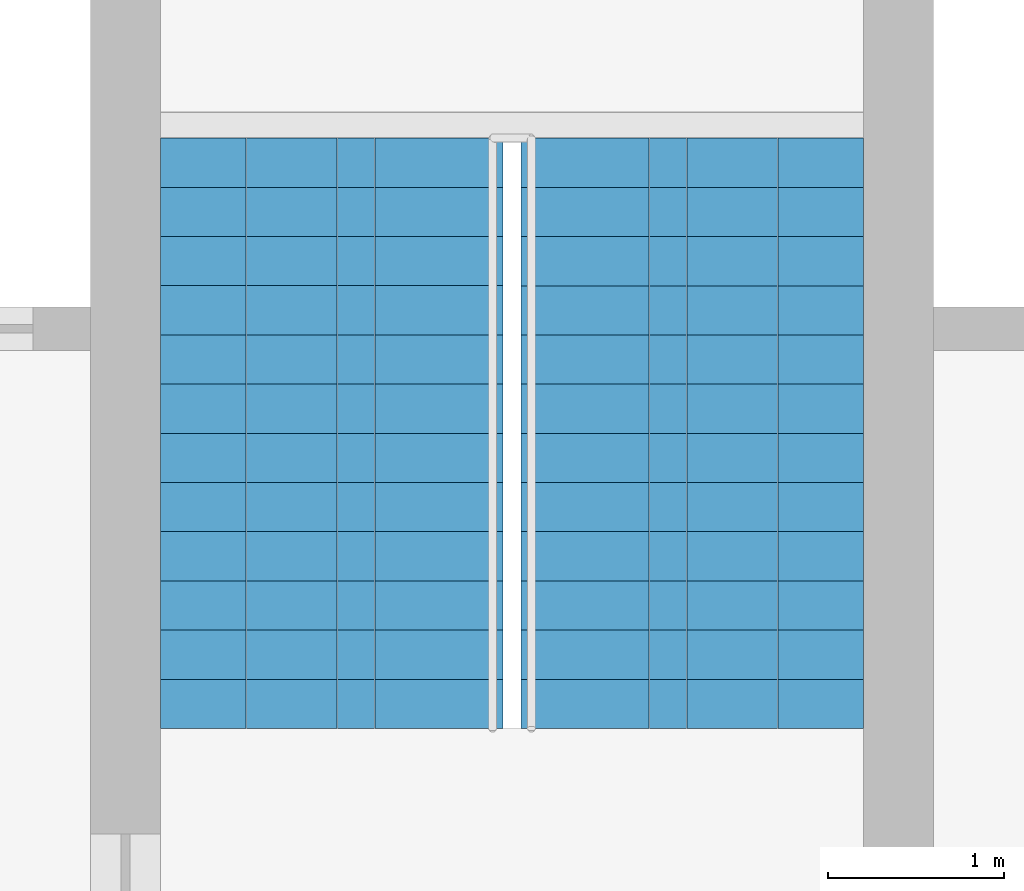
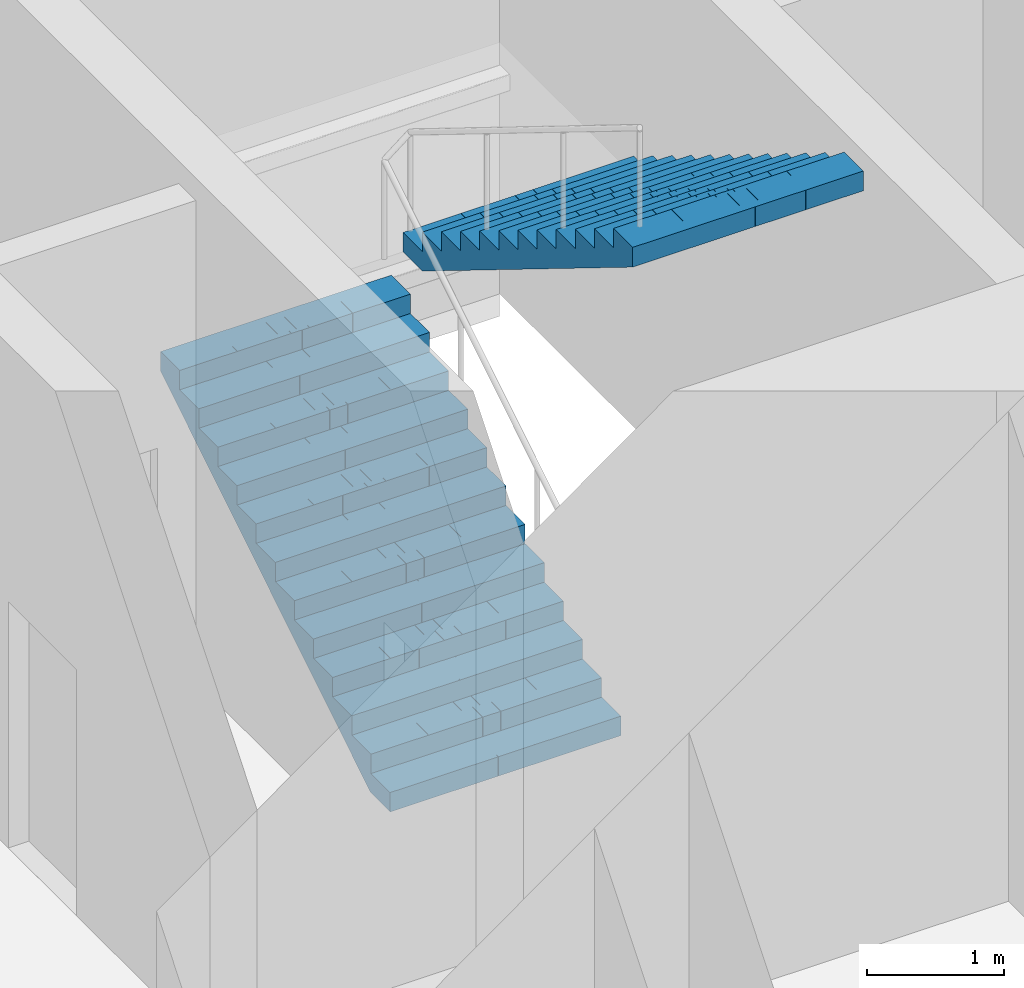
# One storey, part 19 of 21: 2 stair flights, 1 element without a shape of its own.
"""IFC4 building model written with IfcOpenShell, lengths in metres."""

from ifc_helpers import new_model, si_unit, direction, frame, origin, place, context, subcontext, project, spatial, polyline, outline, extrude, material, type_object, element, aggregate, save


model = new_model("IFC4")

# Units and contexts
model_context = context("Model", 3, precision=1e-05, world=origin(), true_north=direction((0.0, 1.0)))
body_context = subcontext(model_context, "Body", "Model", "MODEL_VIEW")
ifc_project = project(units=[si_unit("LENGTHUNIT", "METRE"), si_unit("AREAUNIT", "SQUARE_METRE"), si_unit("VOLUMEUNIT", "CUBIC_METRE"), si_unit("PLANEANGLEUNIT", "RADIAN"), si_unit("MASSUNIT", "GRAM", prefix="KILO")], contexts=[model_context])

# Site, building, storey
site_placement = place(None, origin())
site = spatial("IfcSite", under=ifc_project, at=site_placement, CompositionType="ELEMENT")
building_placement = place(site_placement, origin())
building = spatial("IfcBuilding", under=site, at=building_placement, Name="Mizan Broadcast Tower", CompositionType="ELEMENT")
storey_placement = place(building_placement, frame((0.0, 0.0, 33.0)))
storey = spatial("IfcBuildingStorey", under=building, at=storey_placement, Name="L05", CompositionType="ELEMENT", Elevation=33.0)

# Stair, stair flights
ifc_material_1 = material(Name="Concrete C40/50", Category="concrete")
stair_type = type_object("IfcStairType", Name="EXIT STAIR", PredefinedType="HALF_TURN_STAIR", material=ifc_material_1)
stair_placement = place(storey_placement, origin())
stair = element("IfcStair", 1, at=stair_placement, inside=storey, type_object=stair_type, Name="Stair A L05", PredefinedType="HALF_TURN_STAIR")
ifc_material_2 = material(Name="Concrete C40/50", Category="concrete")
stair_flight_type = type_object("IfcStairFlightType", Name="EXIT STAIR FLIGHT", PredefinedType="STRAIGHT", material=ifc_material_2)
stair_flight_1_placement = place(storey_placement, frame((-1.02490234375, -7.89990234375, 0.0), z_axis=(0.0, 0.0, 1.0), x_axis=(0.0, 1.0, 0.0)))
stair_flight_1 = element("IfcStairFlight", 2, at=stair_flight_1_placement, type_object=stair_flight_type, Name="A flight 1", NumberOfRisers=13, NumberOfTreads=12, PredefinedType="STRAIGHT", RiserHeight=0.173076923, TreadLength=0.28, context=body_context, shape_type="SweptSolid", body=[
    extrude(outline(polyline([(0.0, 0.0), (0.0, 0.173095703125), (0.280029296875, 0.173095703125), (0.280029296875, 0.34619140625), (0.56005859375, 0.34619140625), (0.56005859375, 0.519287109375), (0.840087890625, 0.519287109375), (0.840087890625, 0.6923828125), (1.1201171875, 0.6923828125), (1.1201171875, 0.865478515625), (1.39990234375, 0.865478515625), (1.39990234375, 1.03857421875), (1.679931640625, 1.03857421875), (1.679931640625, 1.21142578125), (1.9599609375, 1.21142578125), (1.9599609375, 1.384521484375), (2.239990234375, 1.384521484375), (2.239990234375, 1.5576171875), (2.52001953125, 1.5576171875), (2.52001953125, 1.730712890625), (2.800048828125, 1.730712890625), (2.800048828125, 1.90380859375), (3.080078125, 1.90380859375), (3.080078125, 2.076904296875), (3.360107421875, 2.076904296875), (3.360107421875, 2.25), (3.360107421875, 1.900634765625), (0.28515625, 0.0), (0.0, 0.0)])), frame((0.0, 0.97509765625, 0.0), z_axis=(0.0, -1.0, 0.0), x_axis=(1.0, 0.0, 0.0)), (0.0, 0.0, 1.0), 0.4873046875),
    extrude(outline(polyline([(0.0, 0.0), (0.0, 0.173095703125), (0.280029296875, 0.173095703125), (0.280029296875, 0.34619140625), (0.56005859375, 0.34619140625), (0.56005859375, 0.519287109375), (0.840087890625, 0.519287109375), (0.840087890625, 0.6923828125), (1.1201171875, 0.6923828125), (1.1201171875, 0.865478515625), (1.39990234375, 0.865478515625), (1.39990234375, 1.03857421875), (1.679931640625, 1.03857421875), (1.679931640625, 1.21142578125), (1.9599609375, 1.21142578125), (1.9599609375, 1.384521484375), (2.239990234375, 1.384521484375), (2.239990234375, 1.5576171875), (2.52001953125, 1.5576171875), (2.52001953125, 1.730712890625), (2.800048828125, 1.730712890625), (2.800048828125, 1.90380859375), (3.080078125, 1.90380859375), (3.080078125, 2.076904296875), (3.360107421875, 2.076904296875), (3.360107421875, 2.25), (3.360107421875, 1.900634765625), (0.28515625, 0.0), (0.0, 0.0)])), frame((0.0, 0.4873046875, 0.0), z_axis=(0.0, -1.0, 0.0), x_axis=(1.0, 0.0, 0.0)), (0.0, 0.0, 1.0), 0.2431640625),
    extrude(outline(polyline([(0.0, 0.0), (0.0, 0.173095703125), (0.280029296875, 0.173095703125), (0.280029296875, 0.34619140625), (0.56005859375, 0.34619140625), (0.56005859375, 0.519287109375), (0.840087890625, 0.519287109375), (0.840087890625, 0.6923828125), (1.1201171875, 0.6923828125), (1.1201171875, 0.865478515625), (1.39990234375, 0.865478515625), (1.39990234375, 1.03857421875), (1.679931640625, 1.03857421875), (1.679931640625, 1.21142578125), (1.9599609375, 1.21142578125), (1.9599609375, 1.384521484375), (2.239990234375, 1.384521484375), (2.239990234375, 1.5576171875), (2.52001953125, 1.5576171875), (2.52001953125, 1.730712890625), (2.800048828125, 1.730712890625), (2.800048828125, 1.90380859375), (3.080078125, 1.90380859375), (3.080078125, 2.076904296875), (3.360107421875, 2.076904296875), (3.360107421875, 2.25), (3.360107421875, 1.900634765625), (0.28515625, 0.0), (0.0, 0.0)])), frame((0.0, 0.24365234375, 0.0), z_axis=(0.0, -1.0, 0.0), x_axis=(1.0, 0.0, 0.0)), (0.0, 0.0, 1.0), 0.121337890625),
    extrude(outline(polyline([(0.0, 0.0), (0.0, 0.173095703125), (0.280029296875, 0.173095703125), (0.280029296875, 0.34619140625), (0.56005859375, 0.34619140625), (0.56005859375, 0.519287109375), (0.840087890625, 0.519287109375), (0.840087890625, 0.6923828125), (1.1201171875, 0.6923828125), (1.1201171875, 0.865478515625), (1.39990234375, 0.865478515625), (1.39990234375, 1.03857421875), (1.679931640625, 1.03857421875), (1.679931640625, 1.21142578125), (1.9599609375, 1.21142578125), (1.9599609375, 1.384521484375), (2.239990234375, 1.384521484375), (2.239990234375, 1.5576171875), (2.52001953125, 1.5576171875), (2.52001953125, 1.730712890625), (2.800048828125, 1.730712890625), (2.800048828125, 1.90380859375), (3.080078125, 1.90380859375), (3.080078125, 2.076904296875), (3.360107421875, 2.076904296875), (3.360107421875, 2.25), (3.360107421875, 1.900634765625), (0.28515625, 0.0), (0.0, 0.0)])), frame((0.0, 0.121826171875, 0.0), z_axis=(0.0, -1.0, 0.0), x_axis=(1.0, 0.0, 0.0)), (0.0, 0.0, 1.0), 0.060546875),
    extrude(outline(polyline([(0.0, 0.0), (0.0, 0.173095703125), (0.280029296875, 0.173095703125), (0.280029296875, 0.34619140625), (0.56005859375, 0.34619140625), (0.56005859375, 0.519287109375), (0.840087890625, 0.519287109375), (0.840087890625, 0.6923828125), (1.1201171875, 0.6923828125), (1.1201171875, 0.865478515625), (1.39990234375, 0.865478515625), (1.39990234375, 1.03857421875), (1.679931640625, 1.03857421875), (1.679931640625, 1.21142578125), (1.9599609375, 1.21142578125), (1.9599609375, 1.384521484375), (2.239990234375, 1.384521484375), (2.239990234375, 1.5576171875), (2.52001953125, 1.5576171875), (2.52001953125, 1.730712890625), (2.800048828125, 1.730712890625), (2.800048828125, 1.90380859375), (3.080078125, 1.90380859375), (3.080078125, 2.076904296875), (3.360107421875, 2.076904296875), (3.360107421875, 2.25), (3.360107421875, 1.900634765625), (0.28515625, 0.0), (0.0, 0.0)])), frame((0.0, 0.060791015625, 0.0), z_axis=(0.0, -1.0, 0.0), x_axis=(1.0, 0.0, 0.0)), (0.0, 0.0, 1.0), 0.030029296875),
    extrude(outline(polyline([(0.0, 0.0), (0.0, 0.173095703125), (0.280029296875, 0.173095703125), (0.280029296875, 0.34619140625), (0.56005859375, 0.34619140625), (0.56005859375, 0.519287109375), (0.840087890625, 0.519287109375), (0.840087890625, 0.6923828125), (1.1201171875, 0.6923828125), (1.1201171875, 0.865478515625), (1.39990234375, 0.865478515625), (1.39990234375, 1.03857421875), (1.679931640625, 1.03857421875), (1.679931640625, 1.21142578125), (1.9599609375, 1.21142578125), (1.9599609375, 1.384521484375), (2.239990234375, 1.384521484375), (2.239990234375, 1.5576171875), (2.52001953125, 1.5576171875), (2.52001953125, 1.730712890625), (2.800048828125, 1.730712890625), (2.800048828125, 1.90380859375), (3.080078125, 1.90380859375), (3.080078125, 2.076904296875), (3.360107421875, 2.076904296875), (3.360107421875, 2.25), (3.360107421875, 1.900634765625), (0.28515625, 0.0), (0.0, 0.0)])), frame((0.0, 0.0302734375, 0.0), z_axis=(0.0, -1.0, 0.0), x_axis=(1.0, 0.0, 0.0)), (0.0, 0.0, 1.0), 0.060302734375),
    extrude(outline(polyline([(0.0, 0.0), (0.0, 0.173095703125), (0.280029296875, 0.173095703125), (0.280029296875, 0.34619140625), (0.56005859375, 0.34619140625), (0.56005859375, 0.519287109375), (0.840087890625, 0.519287109375), (0.840087890625, 0.6923828125), (1.1201171875, 0.6923828125), (1.1201171875, 0.865478515625), (1.39990234375, 0.865478515625), (1.39990234375, 1.03857421875), (1.679931640625, 1.03857421875), (1.679931640625, 1.21142578125), (1.9599609375, 1.21142578125), (1.9599609375, 1.384521484375), (2.239990234375, 1.384521484375), (2.239990234375, 1.5576171875), (2.52001953125, 1.5576171875), (2.52001953125, 1.730712890625), (2.800048828125, 1.730712890625), (2.800048828125, 1.90380859375), (3.080078125, 1.90380859375), (3.080078125, 2.076904296875), (3.360107421875, 2.076904296875), (3.360107421875, 2.25), (3.360107421875, 1.900634765625), (0.28515625, 0.0), (0.0, 0.0)])), frame((0.0, -0.030517578125, 0.0), z_axis=(0.0, -1.0, 0.0), x_axis=(1.0, 0.0, 0.0)), (0.0, 0.0, 1.0), 0.030029296875),
    extrude(outline(polyline([(0.0, 0.0), (0.0, 0.173095703125), (0.280029296875, 0.173095703125), (0.280029296875, 0.34619140625), (0.56005859375, 0.34619140625), (0.56005859375, 0.519287109375), (0.840087890625, 0.519287109375), (0.840087890625, 0.6923828125), (1.1201171875, 0.6923828125), (1.1201171875, 0.865478515625), (1.39990234375, 0.865478515625), (1.39990234375, 1.03857421875), (1.679931640625, 1.03857421875), (1.679931640625, 1.21142578125), (1.9599609375, 1.21142578125), (1.9599609375, 1.384521484375), (2.239990234375, 1.384521484375), (2.239990234375, 1.5576171875), (2.52001953125, 1.5576171875), (2.52001953125, 1.730712890625), (2.800048828125, 1.730712890625), (2.800048828125, 1.90380859375), (3.080078125, 1.90380859375), (3.080078125, 2.076904296875), (3.360107421875, 2.076904296875), (3.360107421875, 2.25), (3.360107421875, 1.900634765625), (0.28515625, 0.0), (0.0, 0.0)])), frame((0.0, -0.06103515625, 0.0), z_axis=(0.0, -1.0, 0.0), x_axis=(1.0, 0.0, 0.0)), (0.0, 0.0, 1.0), 0.060546875),
    extrude(outline(polyline([(0.0, 0.0), (0.0, 0.173095703125), (0.280029296875, 0.173095703125), (0.280029296875, 0.34619140625), (0.56005859375, 0.34619140625), (0.56005859375, 0.519287109375), (0.840087890625, 0.519287109375), (0.840087890625, 0.6923828125), (1.1201171875, 0.6923828125), (1.1201171875, 0.865478515625), (1.39990234375, 0.865478515625), (1.39990234375, 1.03857421875), (1.679931640625, 1.03857421875), (1.679931640625, 1.21142578125), (1.9599609375, 1.21142578125), (1.9599609375, 1.384521484375), (2.239990234375, 1.384521484375), (2.239990234375, 1.5576171875), (2.52001953125, 1.5576171875), (2.52001953125, 1.730712890625), (2.800048828125, 1.730712890625), (2.800048828125, 1.90380859375), (3.080078125, 1.90380859375), (3.080078125, 2.076904296875), (3.360107421875, 2.076904296875), (3.360107421875, 2.25), (3.360107421875, 1.900634765625), (0.28515625, 0.0), (0.0, 0.0)])), frame((0.0, -0.1220703125, 0.0), z_axis=(0.0, -1.0, 0.0), x_axis=(1.0, 0.0, 0.0)), (0.0, 0.0, 1.0), 0.121337890625),
    extrude(outline(polyline([(0.0, 0.0), (0.0, 0.173095703125), (0.280029296875, 0.173095703125), (0.280029296875, 0.34619140625), (0.56005859375, 0.34619140625), (0.56005859375, 0.519287109375), (0.840087890625, 0.519287109375), (0.840087890625, 0.6923828125), (1.1201171875, 0.6923828125), (1.1201171875, 0.865478515625), (1.39990234375, 0.865478515625), (1.39990234375, 1.03857421875), (1.679931640625, 1.03857421875), (1.679931640625, 1.21142578125), (1.9599609375, 1.21142578125), (1.9599609375, 1.384521484375), (2.239990234375, 1.384521484375), (2.239990234375, 1.5576171875), (2.52001953125, 1.5576171875), (2.52001953125, 1.730712890625), (2.800048828125, 1.730712890625), (2.800048828125, 1.90380859375), (3.080078125, 1.90380859375), (3.080078125, 2.076904296875), (3.360107421875, 2.076904296875), (3.360107421875, 2.25), (3.360107421875, 1.900634765625), (0.28515625, 0.0), (0.0, 0.0)])), frame((0.0, -0.243896484375, 0.0), z_axis=(0.0, -1.0, 0.0), x_axis=(1.0, 0.0, 0.0)), (0.0, 0.0, 1.0), 0.2431640625),
    extrude(outline(polyline([(0.0, 0.0), (0.0, 0.173095703125), (0.280029296875, 0.173095703125), (0.280029296875, 0.34619140625), (0.56005859375, 0.34619140625), (0.56005859375, 0.519287109375), (0.840087890625, 0.519287109375), (0.840087890625, 0.6923828125), (1.1201171875, 0.6923828125), (1.1201171875, 0.865478515625), (1.39990234375, 0.865478515625), (1.39990234375, 1.03857421875), (1.679931640625, 1.03857421875), (1.679931640625, 1.21142578125), (1.9599609375, 1.21142578125), (1.9599609375, 1.384521484375), (2.239990234375, 1.384521484375), (2.239990234375, 1.5576171875), (2.52001953125, 1.5576171875), (2.52001953125, 1.730712890625), (2.800048828125, 1.730712890625), (2.800048828125, 1.90380859375), (3.080078125, 1.90380859375), (3.080078125, 2.076904296875), (3.360107421875, 2.076904296875), (3.360107421875, 2.25), (3.360107421875, 1.900634765625), (0.28515625, 0.0), (0.0, 0.0)])), frame((0.0, -0.487548828125, 0.0), z_axis=(0.0, -1.0, 0.0), x_axis=(1.0, 0.0, 0.0)), (0.0, 0.0, 1.0), 0.4873046875),
])
stair_flight_2_placement = place(storey_placement, frame((1.02490234375, -4.5400390625, 2.25), z_axis=(0.0, 0.0, 1.0), x_axis=(0.0, -1.0, 0.0)))
stair_flight_2 = element("IfcStairFlight", 3, at=stair_flight_2_placement, type_object=stair_flight_type, Name="A flight 2", NumberOfRisers=13, NumberOfTreads=12, PredefinedType="STRAIGHT", RiserHeight=0.173076923, TreadLength=0.28, context=body_context, shape_type="SweptSolid", body=[
    extrude(outline(polyline([(0.0, 0.0), (0.0, 0.173095703125), (0.280029296875, 0.173095703125), (0.280029296875, 0.34619140625), (0.56005859375, 0.34619140625), (0.56005859375, 0.519287109375), (0.840087890625, 0.519287109375), (0.840087890625, 0.6923828125), (1.1201171875, 0.6923828125), (1.1201171875, 0.865478515625), (1.39990234375, 0.865478515625), (1.39990234375, 1.03857421875), (1.679931640625, 1.03857421875), (1.679931640625, 1.21142578125), (1.9599609375, 1.21142578125), (1.9599609375, 1.384521484375), (2.239990234375, 1.384521484375), (2.239990234375, 1.5576171875), (2.52001953125, 1.5576171875), (2.52001953125, 1.730712890625), (2.800048828125, 1.730712890625), (2.800048828125, 1.90380859375), (3.080078125, 1.90380859375), (3.080078125, 2.076904296875), (3.360107421875, 2.076904296875), (3.360107421875, 2.25), (3.360107421875, 1.900634765625), (0.28515625, 0.0), (0.0, 0.0)])), frame((0.0, 0.97509765625, 0.0), z_axis=(0.0, -1.0, 0.0), x_axis=(1.0, 0.0, 0.0)), (0.0, 0.0, 1.0), 0.4873046875),
    extrude(outline(polyline([(0.0, 0.0), (0.0, 0.173095703125), (0.280029296875, 0.173095703125), (0.280029296875, 0.34619140625), (0.56005859375, 0.34619140625), (0.56005859375, 0.519287109375), (0.840087890625, 0.519287109375), (0.840087890625, 0.6923828125), (1.1201171875, 0.6923828125), (1.1201171875, 0.865478515625), (1.39990234375, 0.865478515625), (1.39990234375, 1.03857421875), (1.679931640625, 1.03857421875), (1.679931640625, 1.21142578125), (1.9599609375, 1.21142578125), (1.9599609375, 1.384521484375), (2.239990234375, 1.384521484375), (2.239990234375, 1.5576171875), (2.52001953125, 1.5576171875), (2.52001953125, 1.730712890625), (2.800048828125, 1.730712890625), (2.800048828125, 1.90380859375), (3.080078125, 1.90380859375), (3.080078125, 2.076904296875), (3.360107421875, 2.076904296875), (3.360107421875, 2.25), (3.360107421875, 1.900634765625), (0.28515625, 0.0), (0.0, 0.0)])), frame((0.0, 0.4873046875, 0.0), z_axis=(0.0, -1.0, 0.0), x_axis=(1.0, 0.0, 0.0)), (0.0, 0.0, 1.0), 0.2431640625),
    extrude(outline(polyline([(0.0, 0.0), (0.0, 0.173095703125), (0.280029296875, 0.173095703125), (0.280029296875, 0.34619140625), (0.56005859375, 0.34619140625), (0.56005859375, 0.519287109375), (0.840087890625, 0.519287109375), (0.840087890625, 0.6923828125), (1.1201171875, 0.6923828125), (1.1201171875, 0.865478515625), (1.39990234375, 0.865478515625), (1.39990234375, 1.03857421875), (1.679931640625, 1.03857421875), (1.679931640625, 1.21142578125), (1.9599609375, 1.21142578125), (1.9599609375, 1.384521484375), (2.239990234375, 1.384521484375), (2.239990234375, 1.5576171875), (2.52001953125, 1.5576171875), (2.52001953125, 1.730712890625), (2.800048828125, 1.730712890625), (2.800048828125, 1.90380859375), (3.080078125, 1.90380859375), (3.080078125, 2.076904296875), (3.360107421875, 2.076904296875), (3.360107421875, 2.25), (3.360107421875, 1.900634765625), (0.28515625, 0.0), (0.0, 0.0)])), frame((0.0, 0.24365234375, 0.0), z_axis=(0.0, -1.0, 0.0), x_axis=(1.0, 0.0, 0.0)), (0.0, 0.0, 1.0), 0.121337890625),
    extrude(outline(polyline([(0.0, 0.0), (0.0, 0.173095703125), (0.280029296875, 0.173095703125), (0.280029296875, 0.34619140625), (0.56005859375, 0.34619140625), (0.56005859375, 0.519287109375), (0.840087890625, 0.519287109375), (0.840087890625, 0.6923828125), (1.1201171875, 0.6923828125), (1.1201171875, 0.865478515625), (1.39990234375, 0.865478515625), (1.39990234375, 1.03857421875), (1.679931640625, 1.03857421875), (1.679931640625, 1.21142578125), (1.9599609375, 1.21142578125), (1.9599609375, 1.384521484375), (2.239990234375, 1.384521484375), (2.239990234375, 1.5576171875), (2.52001953125, 1.5576171875), (2.52001953125, 1.730712890625), (2.800048828125, 1.730712890625), (2.800048828125, 1.90380859375), (3.080078125, 1.90380859375), (3.080078125, 2.076904296875), (3.360107421875, 2.076904296875), (3.360107421875, 2.25), (3.360107421875, 1.900634765625), (0.28515625, 0.0), (0.0, 0.0)])), frame((0.0, 0.121826171875, 0.0), z_axis=(0.0, -1.0, 0.0), x_axis=(1.0, 0.0, 0.0)), (0.0, 0.0, 1.0), 0.060546875),
    extrude(outline(polyline([(0.0, 0.0), (0.0, 0.173095703125), (0.280029296875, 0.173095703125), (0.280029296875, 0.34619140625), (0.56005859375, 0.34619140625), (0.56005859375, 0.519287109375), (0.840087890625, 0.519287109375), (0.840087890625, 0.6923828125), (1.1201171875, 0.6923828125), (1.1201171875, 0.865478515625), (1.39990234375, 0.865478515625), (1.39990234375, 1.03857421875), (1.679931640625, 1.03857421875), (1.679931640625, 1.21142578125), (1.9599609375, 1.21142578125), (1.9599609375, 1.384521484375), (2.239990234375, 1.384521484375), (2.239990234375, 1.5576171875), (2.52001953125, 1.5576171875), (2.52001953125, 1.730712890625), (2.800048828125, 1.730712890625), (2.800048828125, 1.90380859375), (3.080078125, 1.90380859375), (3.080078125, 2.076904296875), (3.360107421875, 2.076904296875), (3.360107421875, 2.25), (3.360107421875, 1.900634765625), (0.28515625, 0.0), (0.0, 0.0)])), frame((0.0, 0.060791015625, 0.0), z_axis=(0.0, -1.0, 0.0), x_axis=(1.0, 0.0, 0.0)), (0.0, 0.0, 1.0), 0.030029296875),
    extrude(outline(polyline([(0.0, 0.0), (0.0, 0.173095703125), (0.280029296875, 0.173095703125), (0.280029296875, 0.34619140625), (0.56005859375, 0.34619140625), (0.56005859375, 0.519287109375), (0.840087890625, 0.519287109375), (0.840087890625, 0.6923828125), (1.1201171875, 0.6923828125), (1.1201171875, 0.865478515625), (1.39990234375, 0.865478515625), (1.39990234375, 1.03857421875), (1.679931640625, 1.03857421875), (1.679931640625, 1.21142578125), (1.9599609375, 1.21142578125), (1.9599609375, 1.384521484375), (2.239990234375, 1.384521484375), (2.239990234375, 1.5576171875), (2.52001953125, 1.5576171875), (2.52001953125, 1.730712890625), (2.800048828125, 1.730712890625), (2.800048828125, 1.90380859375), (3.080078125, 1.90380859375), (3.080078125, 2.076904296875), (3.360107421875, 2.076904296875), (3.360107421875, 2.25), (3.360107421875, 1.900634765625), (0.28515625, 0.0), (0.0, 0.0)])), frame((0.0, 0.0302734375, 0.0), z_axis=(0.0, -1.0, 0.0), x_axis=(1.0, 0.0, 0.0)), (0.0, 0.0, 1.0), 0.060302734375),
    extrude(outline(polyline([(0.0, 0.0), (0.0, 0.173095703125), (0.280029296875, 0.173095703125), (0.280029296875, 0.34619140625), (0.56005859375, 0.34619140625), (0.56005859375, 0.519287109375), (0.840087890625, 0.519287109375), (0.840087890625, 0.6923828125), (1.1201171875, 0.6923828125), (1.1201171875, 0.865478515625), (1.39990234375, 0.865478515625), (1.39990234375, 1.03857421875), (1.679931640625, 1.03857421875), (1.679931640625, 1.21142578125), (1.9599609375, 1.21142578125), (1.9599609375, 1.384521484375), (2.239990234375, 1.384521484375), (2.239990234375, 1.5576171875), (2.52001953125, 1.5576171875), (2.52001953125, 1.730712890625), (2.800048828125, 1.730712890625), (2.800048828125, 1.90380859375), (3.080078125, 1.90380859375), (3.080078125, 2.076904296875), (3.360107421875, 2.076904296875), (3.360107421875, 2.25), (3.360107421875, 1.900634765625), (0.28515625, 0.0), (0.0, 0.0)])), frame((0.0, -0.030517578125, 0.0), z_axis=(0.0, -1.0, 0.0), x_axis=(1.0, 0.0, 0.0)), (0.0, 0.0, 1.0), 0.030029296875),
    extrude(outline(polyline([(0.0, 0.0), (0.0, 0.173095703125), (0.280029296875, 0.173095703125), (0.280029296875, 0.34619140625), (0.56005859375, 0.34619140625), (0.56005859375, 0.519287109375), (0.840087890625, 0.519287109375), (0.840087890625, 0.6923828125), (1.1201171875, 0.6923828125), (1.1201171875, 0.865478515625), (1.39990234375, 0.865478515625), (1.39990234375, 1.03857421875), (1.679931640625, 1.03857421875), (1.679931640625, 1.21142578125), (1.9599609375, 1.21142578125), (1.9599609375, 1.384521484375), (2.239990234375, 1.384521484375), (2.239990234375, 1.5576171875), (2.52001953125, 1.5576171875), (2.52001953125, 1.730712890625), (2.800048828125, 1.730712890625), (2.800048828125, 1.90380859375), (3.080078125, 1.90380859375), (3.080078125, 2.076904296875), (3.360107421875, 2.076904296875), (3.360107421875, 2.25), (3.360107421875, 1.900634765625), (0.28515625, 0.0), (0.0, 0.0)])), frame((0.0, -0.06103515625, 0.0), z_axis=(0.0, -1.0, 0.0), x_axis=(1.0, 0.0, 0.0)), (0.0, 0.0, 1.0), 0.060546875),
    extrude(outline(polyline([(0.0, 0.0), (0.0, 0.173095703125), (0.280029296875, 0.173095703125), (0.280029296875, 0.34619140625), (0.56005859375, 0.34619140625), (0.56005859375, 0.519287109375), (0.840087890625, 0.519287109375), (0.840087890625, 0.6923828125), (1.1201171875, 0.6923828125), (1.1201171875, 0.865478515625), (1.39990234375, 0.865478515625), (1.39990234375, 1.03857421875), (1.679931640625, 1.03857421875), (1.679931640625, 1.21142578125), (1.9599609375, 1.21142578125), (1.9599609375, 1.384521484375), (2.239990234375, 1.384521484375), (2.239990234375, 1.5576171875), (2.52001953125, 1.5576171875), (2.52001953125, 1.730712890625), (2.800048828125, 1.730712890625), (2.800048828125, 1.90380859375), (3.080078125, 1.90380859375), (3.080078125, 2.076904296875), (3.360107421875, 2.076904296875), (3.360107421875, 2.25), (3.360107421875, 1.900634765625), (0.28515625, 0.0), (0.0, 0.0)])), frame((0.0, -0.1220703125, 0.0), z_axis=(0.0, -1.0, 0.0), x_axis=(1.0, 0.0, 0.0)), (0.0, 0.0, 1.0), 0.121337890625),
    extrude(outline(polyline([(0.0, 0.0), (0.0, 0.173095703125), (0.280029296875, 0.173095703125), (0.280029296875, 0.34619140625), (0.56005859375, 0.34619140625), (0.56005859375, 0.519287109375), (0.840087890625, 0.519287109375), (0.840087890625, 0.6923828125), (1.1201171875, 0.6923828125), (1.1201171875, 0.865478515625), (1.39990234375, 0.865478515625), (1.39990234375, 1.03857421875), (1.679931640625, 1.03857421875), (1.679931640625, 1.21142578125), (1.9599609375, 1.21142578125), (1.9599609375, 1.384521484375), (2.239990234375, 1.384521484375), (2.239990234375, 1.5576171875), (2.52001953125, 1.5576171875), (2.52001953125, 1.730712890625), (2.800048828125, 1.730712890625), (2.800048828125, 1.90380859375), (3.080078125, 1.90380859375), (3.080078125, 2.076904296875), (3.360107421875, 2.076904296875), (3.360107421875, 2.25), (3.360107421875, 1.900634765625), (0.28515625, 0.0), (0.0, 0.0)])), frame((0.0, -0.243896484375, 0.0), z_axis=(0.0, -1.0, 0.0), x_axis=(1.0, 0.0, 0.0)), (0.0, 0.0, 1.0), 0.2431640625),
    extrude(outline(polyline([(0.0, 0.0), (0.0, 0.173095703125), (0.280029296875, 0.173095703125), (0.280029296875, 0.34619140625), (0.56005859375, 0.34619140625), (0.56005859375, 0.519287109375), (0.840087890625, 0.519287109375), (0.840087890625, 0.6923828125), (1.1201171875, 0.6923828125), (1.1201171875, 0.865478515625), (1.39990234375, 0.865478515625), (1.39990234375, 1.03857421875), (1.679931640625, 1.03857421875), (1.679931640625, 1.21142578125), (1.9599609375, 1.21142578125), (1.9599609375, 1.384521484375), (2.239990234375, 1.384521484375), (2.239990234375, 1.5576171875), (2.52001953125, 1.5576171875), (2.52001953125, 1.730712890625), (2.800048828125, 1.730712890625), (2.800048828125, 1.90380859375), (3.080078125, 1.90380859375), (3.080078125, 2.076904296875), (3.360107421875, 2.076904296875), (3.360107421875, 2.25), (3.360107421875, 1.900634765625), (0.28515625, 0.0), (0.0, 0.0)])), frame((0.0, -0.487548828125, 0.0), z_axis=(0.0, -1.0, 0.0), x_axis=(1.0, 0.0, 0.0)), (0.0, 0.0, 1.0), 0.4873046875),
])
aggregate(stair, [stair_flight_1, stair_flight_2])

save(model, "model.ifc")
